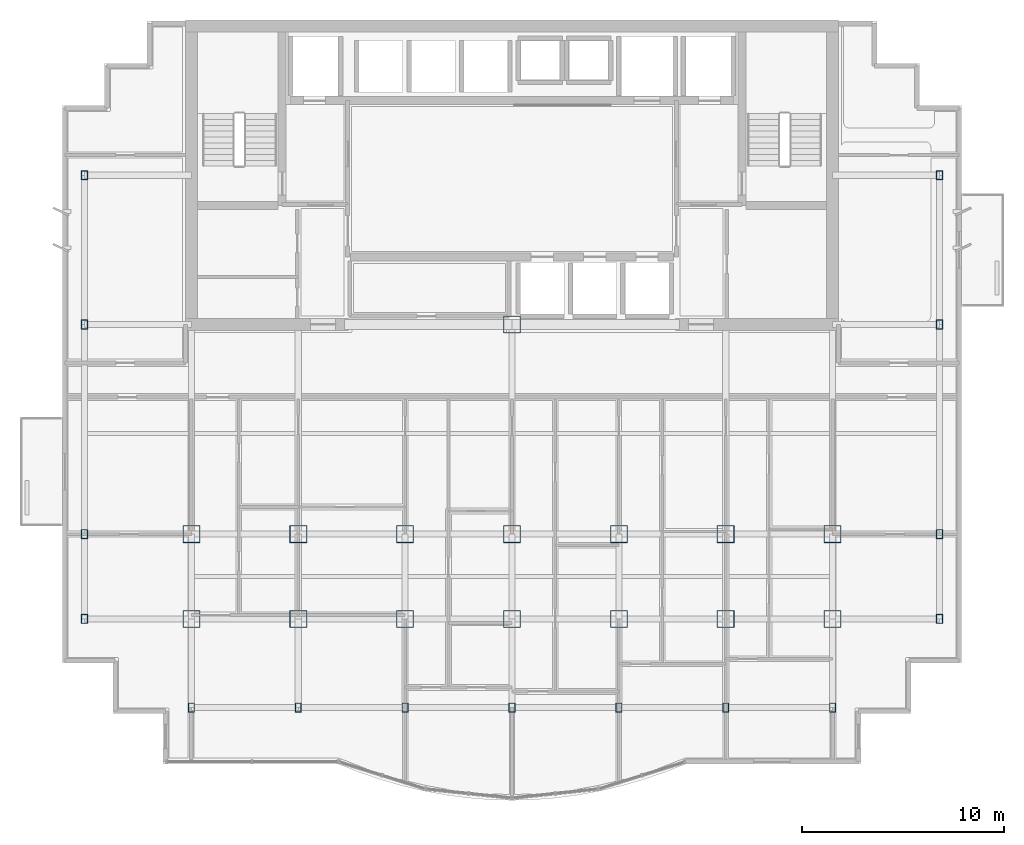
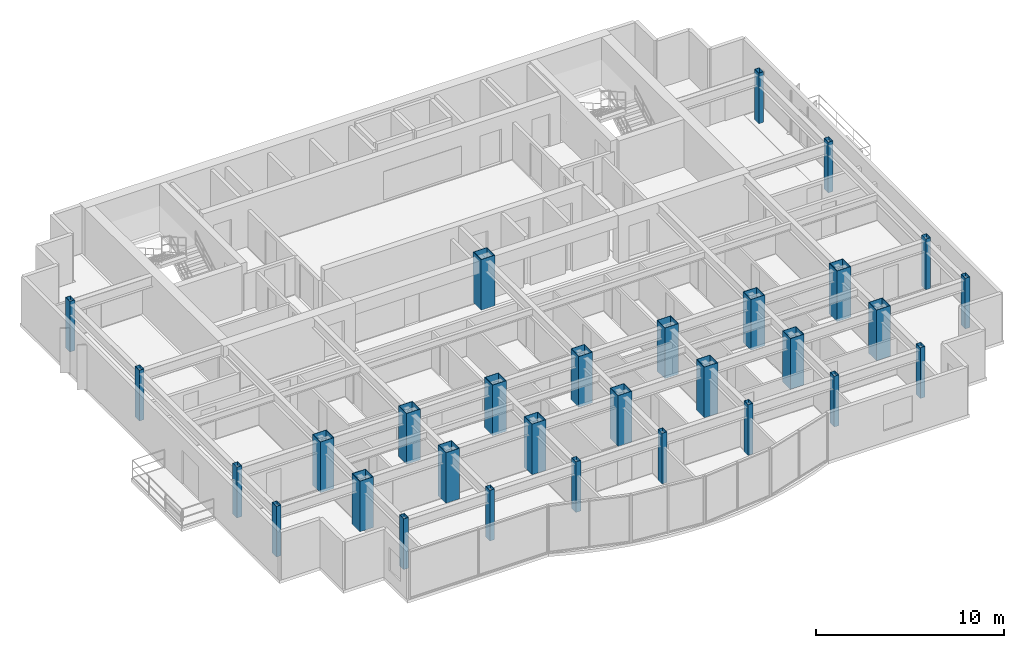
# One storey, part 1 of 11: 30 columns.
"""IFC4 building model written with IfcOpenShell, lengths in metres."""

from ifc_helpers import new_model, si_unit, direction, frame, origin, origin_2d, place, context, subcontext, project, spatial, hollow_rectangle, extrude, material, material_profile, profile_set, type_object, element, save


model = new_model("IFC4")

# Units and contexts
model_context = context("Model", 3, precision=1e-05, world=origin(), true_north=direction((0.0, 1.0)))
body_context = subcontext(model_context, "Body", "Model", "MODEL_VIEW")
ifc_project = project(units=[si_unit("LENGTHUNIT", "METRE"), si_unit("AREAUNIT", "SQUARE_METRE"), si_unit("VOLUMEUNIT", "CUBIC_METRE"), si_unit("PLANEANGLEUNIT", "RADIAN"), si_unit("MASSUNIT", "GRAM", prefix="KILO")], contexts=[model_context])

# Site, building, storey
site_placement = place(None, origin())
site = spatial("IfcSite", under=ifc_project, at=site_placement, CompositionType="ELEMENT")
building_placement = place(site_placement, origin())
building = spatial("IfcBuilding", under=site, at=building_placement, Name="Qianlan Lanfeng Residences", CompositionType="ELEMENT")
storey_placement = place(building_placement, frame((0.0, 0.0, 172.199951171875)))
storey = spatial("IfcBuildingStorey", under=building, at=storey_placement, Name="L47", CompositionType="ELEMENT", Elevation=172.199951171875)

# Columns
ifc_material = material(Name="Steel SN490B", Category="steel")
ifc_material_profile_1 = material_profile(ifc_material, hollow_rectangle(XDim=0.85009765625, YDim=0.85009765625, WallThickness=0.028076171875, at=origin_2d()), Name="BOX 850x850x28")
ifc_profile_set_1 = profile_set([ifc_material_profile_1], Name="Steel SN490B")
column_type_1 = type_object("IfcColumnType", Name="C-B900", PredefinedType="COLUMN", material=ifc_profile_set_1)
for number, where, z_axis, x_axis, name in (
    (1, (26.5, 25.199951171875, 0.0), (0.0, 0.0, 1.0), (1.0, 0.0, 0.0), "L47 Structural Column CP_26.5_25.2"),
    (2, (10.60009765625, 14.800048828125, 0.0), (0.0, 0.0, 1.0), (1.0, 0.0, 0.0), "L47 Structural Column M_10.60_14.80"),
    (3, (10.60009765625, 10.60009765625, 0.0), (0.0, 0.0, 1.0), (1.0, 0.0, 0.0), "L47 Structural Column G_10.60_10.60"),
    (4, (15.89990234375, 14.800048828125, 0.0), (0.0, 0.0, 1.0), (1.0, 0.0, 0.0), "L47 Structural Column M_15.90_14.80"),
    (5, (15.89990234375, 10.60009765625, 0.0), (0.0, 0.0, 1.0), (1.0, 0.0, 0.0), "L47 Structural Column G_15.90_10.60"),
    (6, (21.199951171875, 14.800048828125, 0.0), (0.0, 0.0, 1.0), (1.0, 0.0, 0.0), "L47 Structural Column M_21.20_14.80"),
    (7, (21.199951171875, 10.60009765625, 0.0), (0.0, 0.0, 1.0), (1.0, 0.0, 0.0), "L47 Structural Column G_21.20_10.60"),
    (8, (26.5, 14.800048828125, 0.0), (0.0, 0.0, 1.0), (1.0, 0.0, 0.0), "L47 Structural Column M_26.50_14.80"),
    (9, (26.5, 10.60009765625, 0.0), (0.0, 0.0, 1.0), (1.0, 0.0, 0.0), "L47 Structural Column G_26.50_10.60"),
    (10, (31.800048828125, 14.800048828125, 0.0), (0.0, 0.0, 1.0), (1.0, 0.0, 0.0), "L47 Structural Column M_31.80_14.80"),
    (11, (31.800048828125, 10.60009765625, 0.0), (0.0, 0.0, 1.0), (1.0, 0.0, 0.0), "L47 Structural Column G_31.80_10.60"),
    (12, (37.10009765625, 14.800048828125, 0.0), (0.0, 0.0, 1.0), (1.0, 0.0, 0.0), "L47 Structural Column M_37.10_14.80"),
    (13, (37.10009765625, 10.60009765625, 0.0), (0.0, 0.0, 1.0), (1.0, 0.0, 0.0), "L47 Structural Column G_37.10_10.60"),
    (14, (42.39990234375, 14.800048828125, 0.0), (0.0, 0.0, 1.0), (1.0, 0.0, 0.0), "L47 Structural Column M_42.40_14.80"),
    (15, (42.39990234375, 10.60009765625, 0.0), (0.0, 0.0, 1.0), (1.0, 0.0, 0.0), "L47 Structural Column G_42.40_10.60"),
):
    element("IfcColumn", number, at=place(storey_placement, frame(where, z_axis=z_axis, x_axis=x_axis)), inside=storey, type_object=column_type_1, Name=name, PredefinedType="COLUMN", context=body_context, shape_type="SweptSolid", body=[
        extrude(hollow_rectangle(XDim=0.85009765625, YDim=0.85009765625, WallThickness=0.028076171875, at=origin_2d()), origin(), (0.0, 0.0, 1.0), 3.300048828125),
    ])
ifc_material_profile_2 = material_profile(ifc_material, hollow_rectangle(XDim=0.300048828125, YDim=0.449951171875, WallThickness=0.01611328125, at=origin_2d()), Name="RHS 450x300x16")
ifc_profile_set_2 = profile_set([ifc_material_profile_2], Name="Steel SN490B")
column_type_2 = type_object("IfcColumnType", Name="CE-B950", PredefinedType="COLUMN", material=ifc_profile_set_2)
for number, where, z_axis, x_axis, name in (
    (16, (10.60009765625, 6.199951171875, 0.0), (0.0, 0.0, 1.0), (1.0, 0.0, 0.0), "L47 Structural Column S_10.60_6.20"),
    (17, (15.89990234375, 6.199951171875, 0.0), (0.0, 0.0, 1.0), (1.0, 0.0, 0.0), "L47 Structural Column S_15.90_6.20"),
    (18, (21.199951171875, 6.199951171875, 0.0), (0.0, 0.0, 1.0), (1.0, 0.0, 0.0), "L47 Structural Column S_21.20_6.20"),
    (19, (26.5, 6.199951171875, 0.0), (0.0, 0.0, 1.0), (1.0, 0.0, 0.0), "L47 Structural Column S_26.50_6.20"),
    (20, (31.800048828125, 6.199951171875, 0.0), (0.0, 0.0, 1.0), (1.0, 0.0, 0.0), "L47 Structural Column S_31.80_6.20"),
    (21, (37.10009765625, 6.199951171875, 0.0), (0.0, 0.0, 1.0), (1.0, 0.0, 0.0), "L47 Structural Column S_37.10_6.20"),
    (22, (42.39990234375, 6.199951171875, 0.0), (0.0, 0.0, 1.0), (1.0, 0.0, 0.0), "L47 Structural Column S_42.40_6.20"),
    (23, (5.300048828125, 10.60009765625, 0.0), (0.0, 0.0, 1.0), (1.0, 0.0, 0.0), "L47 Structural Column W_5.30_10.60"),
    (24, (5.300048828125, 14.800048828125, 0.0), (0.0, 0.0, 1.0), (1.0, 0.0, 0.0), "L47 Structural Column W_5.30_14.80"),
    (25, (5.300048828125, 25.199951171875, 0.0), (0.0, 0.0, 1.0), (1.0, 0.0, 0.0), "L47 Structural Column W_5.30_25.20"),
    (26, (5.300048828125, 32.60009765625, 0.0), (0.0, 0.0, 1.0), (1.0, 0.0, 0.0), "L47 Structural Column W_5.30_32.60"),
    (27, (47.699951171875, 10.60009765625, 0.0), (0.0, 0.0, 1.0), (1.0, 0.0, 0.0), "L47 Structural Column W_47.70_10.60"),
    (28, (47.699951171875, 14.800048828125, 0.0), (0.0, 0.0, 1.0), (1.0, 0.0, 0.0), "L47 Structural Column W_47.70_14.80"),
    (29, (47.699951171875, 25.199951171875, 0.0), (0.0, 0.0, 1.0), (1.0, 0.0, 0.0), "L47 Structural Column W_47.70_25.20"),
    (30, (47.699951171875, 32.60009765625, 0.0), (0.0, 0.0, 1.0), (1.0, 0.0, 0.0), "L47 Structural Column W_47.70_32.60"),
):
    element("IfcColumn", number, at=place(storey_placement, frame(where, z_axis=z_axis, x_axis=x_axis)), inside=storey, type_object=column_type_2, Name=name, PredefinedType="COLUMN", context=body_context, shape_type="SweptSolid", body=[
        extrude(hollow_rectangle(XDim=0.300048828125, YDim=0.449951171875, WallThickness=0.01611328125, at=origin_2d()), origin(), (0.0, 0.0, 1.0), 3.300048828125),
    ])

save(model, "model.ifc")
